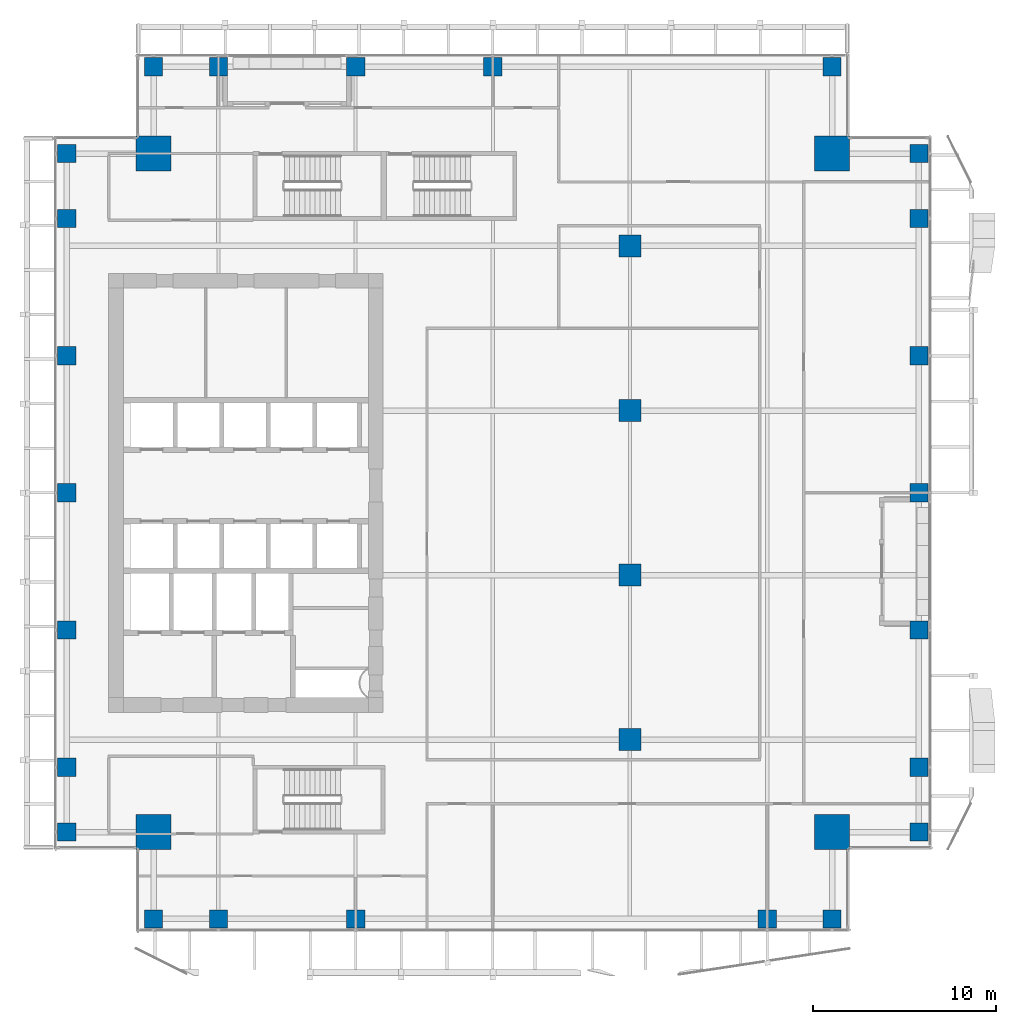
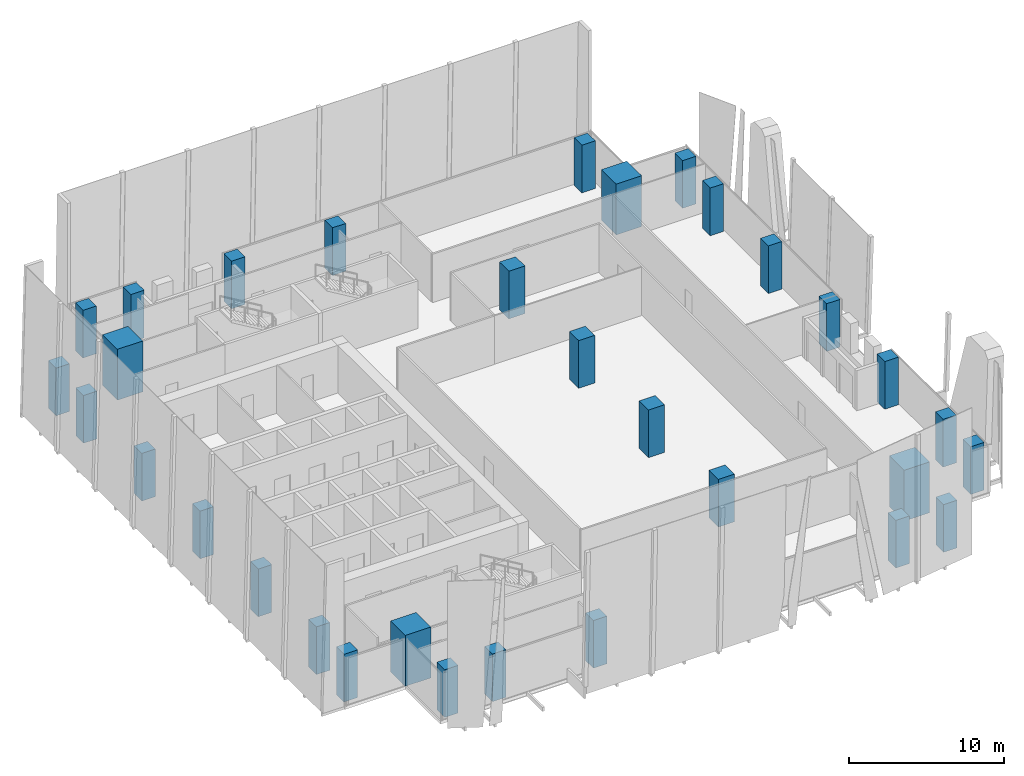
# One storey, part 1 of 35: 32 columns.
"""IFC4 building model written with IfcOpenShell, lengths in metres."""

from ifc_helpers import new_model, si_unit, direction, frame, origin, origin_2d, place, context, subcontext, project, spatial, rectangle, extrude, source, transform, mapped, material, material_profile, profile_set, type_object, element, save


model = new_model("IFC4")

# Units and contexts
model_context = context("Model", 3, precision=1e-05, world=origin(), true_north=direction((0.0, 1.0)))
body_context = subcontext(model_context, "Body", "Model", "MODEL_VIEW")
ifc_project = project(units=[si_unit("LENGTHUNIT", "METRE"), si_unit("AREAUNIT", "SQUARE_METRE"), si_unit("VOLUMEUNIT", "CUBIC_METRE"), si_unit("PLANEANGLEUNIT", "RADIAN"), si_unit("MASSUNIT", "GRAM", prefix="KILO")], contexts=[model_context])

# Site, building, storey
site_placement = place(None, origin())
site = spatial("IfcSite", under=ifc_project, at=site_placement, CompositionType="ELEMENT")
building_placement = place(site_placement, origin())
building = spatial("IfcBuilding", under=site, at=building_placement, Name="Khomas Fold Tower", CompositionType="ELEMENT")
storey_placement = place(building_placement, frame((0.0, 0.0, 200.699951171875)))
storey = spatial("IfcBuildingStorey", under=building, at=storey_placement, Name="L44", CompositionType="ELEMENT", Elevation=200.699951171875)

# Columns
ifc_material_1 = material(Name="Concrete C60/75", Category="concrete")
ifc_material_profile_1 = material_profile(ifc_material_1, rectangle(XDim=1.89990234375, YDim=1.89990234375, at=origin_2d()), Name="RC 1900x1900")
ifc_profile_set_1 = profile_set([ifc_material_profile_1], Name="Concrete C60/75")
column_type_1 = type_object("IfcColumnType", Name="RC 1900x1900 column", PredefinedType="COLUMN", material=ifc_profile_set_1)
shared_shape_1 = source(origin(), body_context, "Body", "SweptSolid", [
    extrude(rectangle(XDim=1.89990234375, YDim=1.89990234375, at=origin_2d()), origin(), (0.0, 0.0, 1.0), 4.0),
])
for number, where, z_axis, x_axis, name in (
    (1, (45.550048828125, 45.550048828125, 0.0), (0.0, 0.0, 1.0), (1.0, 0.0, 0.0), "CM-NE"),
    (2, (8.449951171875, 45.550048828125, 0.0), (0.0, 0.0, 1.0), (1.0, 0.0, 0.0), "CM-NW"),
    (3, (45.550048828125, 8.449951171875, 0.0), (0.0, 0.0, 1.0), (1.0, 0.0, 0.0), "CM-SE"),
    (4, (8.449951171875, 8.449951171875, 0.0), (0.0, 0.0, 1.0), (1.0, 0.0, 0.0), "CM-SW"),
):
    element("IfcColumn", number, at=place(storey_placement, frame(where, z_axis=z_axis, x_axis=x_axis)), inside=storey, type_object=column_type_1, Name=name, PredefinedType="COLUMN", context=body_context, shape_type="MappedRepresentation", body=[
        mapped(shared_shape_1, transform((0.0, 0.0, 0.0))),
    ])
ifc_material_2 = material(Name="Concrete C50/60", Category="concrete")
ifc_material_profile_2 = material_profile(ifc_material_2, rectangle(XDim=1.0, YDim=1.0, at=origin_2d()), Name="RC 1000x1000")
ifc_profile_set_2 = profile_set([ifc_material_profile_2], Name="Concrete C50/60")
column_type_2 = type_object("IfcColumnType", Name="RC 1000x1000 column", PredefinedType="COLUMN", material=ifc_profile_set_2)
shared_shape_2 = source(origin(), body_context, "Body", "SweptSolid", [
    extrude(rectangle(XDim=1.0, YDim=1.0, at=origin_2d()), origin(), (0.0, 0.0, 1.0), 3.75),
])
for number, where, z_axis, x_axis, name in (
    (5, (8.449951171875, 3.699951171875, 0.0), (0.0, 0.0, 1.0), (1.0, 0.0, 0.0), "C-4-SF3"),
    (6, (12.0, 3.699951171875, 0.0), (0.0, 0.0, 1.0), (1.0, 0.0, 0.0), "C-6-SF3"),
    (7, (19.5, 3.699951171875, 0.0), (0.0, 0.0, 1.0), (1.0, 0.0, 0.0), "C-8-SF3"),
    (8, (42.0, 3.699951171875, 0.0), (0.0, 0.0, 1.0), (1.0, 0.0, 0.0), "C-13-SF3"),
    (9, (45.550048828125, 3.699951171875, 0.0), (0.0, 0.0, 1.0), (1.0, 0.0, 0.0), "C-15-SF3"),
    (10, (50.300048828125, 8.449951171875, 0.0), (0.0, 0.0, 1.0), (1.0, 0.0, 0.0), "C-E3-D"),
    (11, (50.300048828125, 12.0, 0.0), (0.0, 0.0, 1.0), (1.0, 0.0, 0.0), "C-E3-F"),
    (12, (50.300048828125, 19.5, 0.0), (0.0, 0.0, 1.0), (1.0, 0.0, 0.0), "C-E3-J"),
    (13, (50.300048828125, 27.0, 0.0), (0.0, 0.0, 1.0), (1.0, 0.0, 0.0), "C-E3-L"),
    (14, (50.300048828125, 34.5, 0.0), (0.0, 0.0, 1.0), (1.0, 0.0, 0.0), "C-E3-N"),
    (15, (50.300048828125, 42.0, 0.0), (0.0, 0.0, 1.0), (1.0, 0.0, 0.0), "C-E3-R"),
    (16, (50.300048828125, 45.550048828125, 0.0), (0.0, 0.0, 1.0), (1.0, 0.0, 0.0), "C-E3-T"),
    (17, (8.449951171875, 50.300048828125, 0.0), (0.0, 0.0, 1.0), (1.0, 0.0, 0.0), "C-4-NF3"),
    (18, (12.0, 50.300048828125, 0.0), (0.0, 0.0, 1.0), (1.0, 0.0, 0.0), "C-6-NF3"),
    (19, (19.5, 50.300048828125, 0.0), (0.0, 0.0, 1.0), (1.0, 0.0, 0.0), "C-8-NF3"),
    (20, (27.0, 50.300048828125, 0.0), (0.0, 0.0, 1.0), (1.0, 0.0, 0.0), "C-9-NF3"),
    (21, (45.550048828125, 50.300048828125, 0.0), (0.0, 0.0, 1.0), (1.0, 0.0, 0.0), "C-15-NF3"),
    (22, (3.699951171875, 8.449951171875, 0.0), (0.0, 0.0, 1.0), (1.0, 0.0, 0.0), "C-W3-D"),
    (23, (3.699951171875, 12.0, 0.0), (0.0, 0.0, 1.0), (1.0, 0.0, 0.0), "C-W3-F"),
    (24, (3.699951171875, 19.5, 0.0), (0.0, 0.0, 1.0), (1.0, 0.0, 0.0), "C-W3-J"),
    (25, (3.699951171875, 27.0, 0.0), (0.0, 0.0, 1.0), (1.0, 0.0, 0.0), "C-W3-L"),
    (26, (3.699951171875, 34.5, 0.0), (0.0, 0.0, 1.0), (1.0, 0.0, 0.0), "C-W3-N"),
    (27, (3.699951171875, 42.0, 0.0), (0.0, 0.0, 1.0), (1.0, 0.0, 0.0), "C-W3-R"),
    (28, (3.699951171875, 45.550048828125, 0.0), (0.0, 0.0, 1.0), (1.0, 0.0, 0.0), "C-W3-T"),
):
    element("IfcColumn", number, at=place(storey_placement, frame(where, z_axis=z_axis, x_axis=x_axis)), inside=storey, type_object=column_type_2, Name=name, PredefinedType="COLUMN", context=body_context, shape_type="MappedRepresentation", body=[
        mapped(shared_shape_2, transform((0.0, 0.0, 0.0))),
    ])
ifc_material_3 = material(Name="Concrete C60/75", Category="concrete")
ifc_material_profile_3 = material_profile(ifc_material_3, rectangle(XDim=1.199951171875, YDim=1.199951171875, at=origin_2d()), Name="RC 1200x1200")
ifc_profile_set_3 = profile_set([ifc_material_profile_3], Name="Concrete C60/75")
column_type_3 = type_object("IfcColumnType", Name="RC 1200x1200 column", PredefinedType="COLUMN", material=ifc_profile_set_3)
shared_shape_3 = source(origin(), body_context, "Body", "SweptSolid", [
    extrude(rectangle(XDim=1.199951171875, YDim=1.199951171875, at=origin_2d()), origin(), (0.0, 0.0, 1.0), 3.75),
])
for number, where, z_axis, x_axis, name in (
    (29, (34.5, 13.5, 0.0), (0.0, 0.0, 1.0), (1.0, 0.0, 0.0), "C-10-H"),
    (30, (34.5, 22.5, 0.0), (0.0, 0.0, 1.0), (1.0, 0.0, 0.0), "C-10-K"),
    (31, (34.5, 31.5, 0.0), (0.0, 0.0, 1.0), (1.0, 0.0, 0.0), "C-10-M"),
    (32, (34.5, 40.5, 0.0), (0.0, 0.0, 1.0), (1.0, 0.0, 0.0), "C-10-P"),
):
    element("IfcColumn", number, at=place(storey_placement, frame(where, z_axis=z_axis, x_axis=x_axis)), inside=storey, type_object=column_type_3, Name=name, PredefinedType="COLUMN", context=body_context, shape_type="MappedRepresentation", body=[
        mapped(shared_shape_3, transform((0.0, 0.0, 0.0))),
    ])

save(model, "model.ifc")
